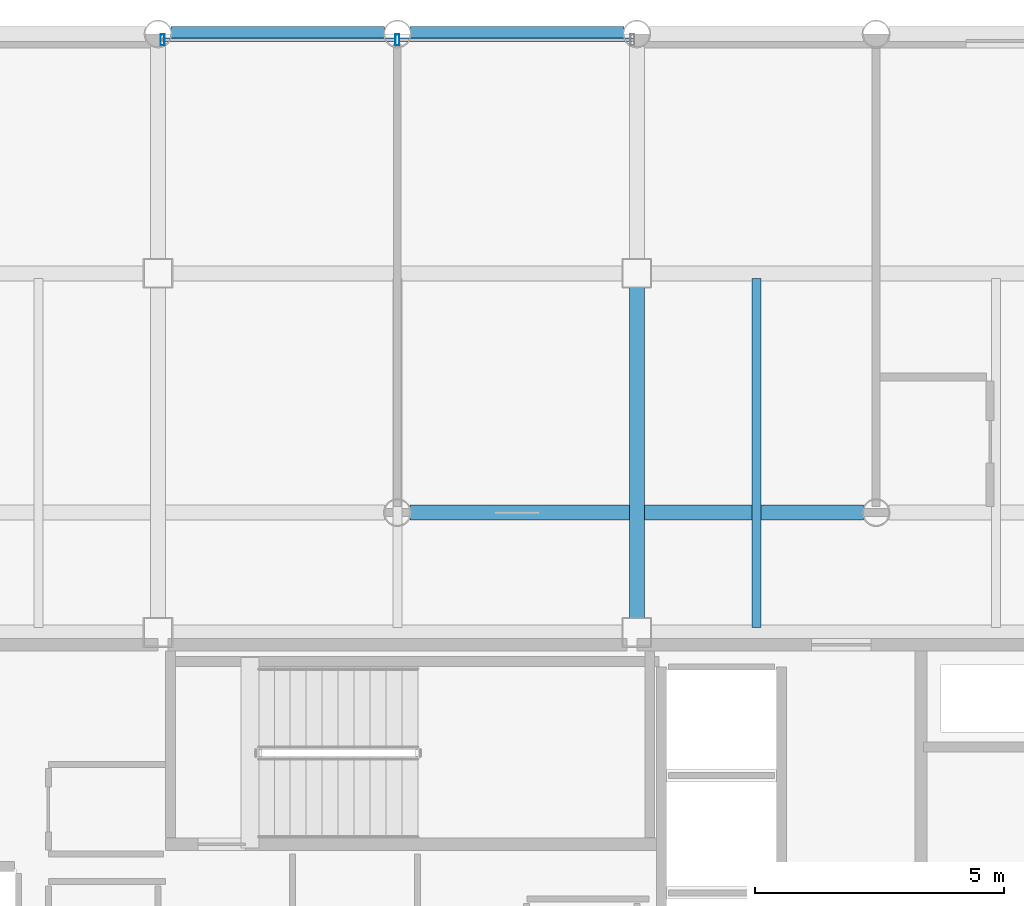
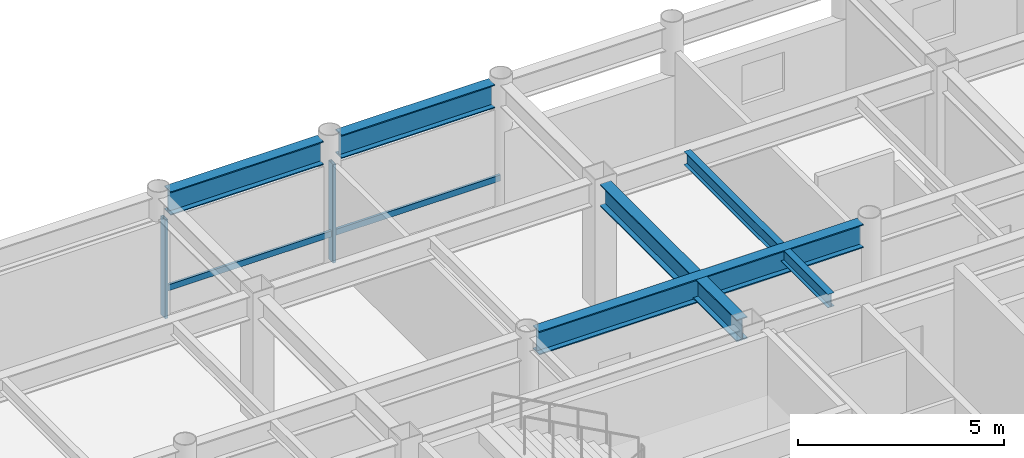
# One storey, part 13 of 22: 5 beams, 4 members, 1 element without a shape of its own.
"""IFC4 building model written with IfcOpenShell, lengths in metres."""

from ifc_helpers import new_model, si_unit, direction, frame, origin, origin_2d, place, context, subcontext, project, spatial, hollow_rectangle, i_section, extrude, material, layer, layer_set, material_profile, profile_set, type_object, element, aggregate, save


model = new_model("IFC4")

# Units and contexts
model_context = context("Model", 3, precision=1e-05, world=origin(), true_north=direction((0.0, 1.0)))
body_context = subcontext(model_context, "Body", "Model", "MODEL_VIEW")
ifc_project = project(units=[si_unit("LENGTHUNIT", "METRE"), si_unit("AREAUNIT", "SQUARE_METRE"), si_unit("VOLUMEUNIT", "CUBIC_METRE"), si_unit("PLANEANGLEUNIT", "RADIAN"), si_unit("MASSUNIT", "GRAM", prefix="KILO")], contexts=[model_context])

# Site, building, storey
site_placement = place(None, origin())
site = spatial("IfcSite", under=ifc_project, at=site_placement, CompositionType="ELEMENT")
building_placement = place(site_placement, origin())
building = spatial("IfcBuilding", under=site, at=building_placement, Name="Kallvorn Hotel Tower", CompositionType="ELEMENT")
storey_placement = place(building_placement, frame((0.0, 0.0, 203.050048828125)))
storey = spatial("IfcBuildingStorey", under=building, at=storey_placement, Name="L50", CompositionType="ELEMENT", Elevation=203.050048828125)

# Beams
ifc_material_1 = material(Name="Structural steel S355JR", Category="steel")
ifc_material_profile_1 = material_profile(ifc_material_1, i_section(OverallWidth=0.300048828125, OverallDepth=0.64990234375, WebThickness=0.01611328125, FlangeThickness=0.031005859375, at=origin_2d()), Name="HE 650 B")
ifc_profile_set_1 = profile_set([ifc_material_profile_1], Name="Structural steel S355JR")
beam_type_1 = type_object("IfcBeamType", Name="BM_HE650B", PredefinedType="BEAM", material=ifc_profile_set_1)
beam_1_placement = place(storey_placement, frame((4.800048828125, 7.47509765625, 3.344970703125), z_axis=(0.0, 1.0, 0.0), x_axis=(-1.0, 0.0, 0.0)))
element("IfcBeam", 1, at=beam_1_placement, inside=storey, type_object=beam_type_1, Name="L51 Primary Y-Girder 116", PredefinedType="BEAM", context=body_context, shape_type="SweptSolid", body=[
    extrude(i_section(OverallWidth=0.300048828125, OverallDepth=0.64990234375, WebThickness=0.01611328125, FlangeThickness=0.031005859375, at=origin_2d()), origin(), (0.0, 0.0, 1.0), 6.64990234375),
])
ifc_material_2 = material(Name="Structural steel S355JR", Category="steel")
ifc_material_profile_2 = material_profile(ifc_material_2, i_section(OverallWidth=0.300048828125, OverallDepth=0.699951171875, WebThickness=0.01708984375, FlangeThickness=0.031982421875, at=origin_2d()), Name="HE 700 B")
ifc_profile_set_2 = profile_set([ifc_material_profile_2], Name="Structural steel S355JR")
beam_type_2 = type_object("IfcBeamType", Name="BM_HE700B", PredefinedType="BEAM", material=ifc_profile_set_2)
beam_2_placement = place(storey_placement, frame((0.25439453125, 9.60009765625, 3.320068359375), z_axis=(1.0, 0.0, 0.0), x_axis=(0.0, 1.0, 0.0)))
element("IfcBeam", 2, at=beam_2_placement, inside=storey, type_object=beam_type_2, Name="L51 Primary X-Girder 46", PredefinedType="BEAM", context=body_context, shape_type="SweptSolid", body=[
    extrude(i_section(OverallWidth=0.300048828125, OverallDepth=0.699951171875, WebThickness=0.01708984375, FlangeThickness=0.031982421875, at=origin_2d()), origin(), (0.0, 0.0, 1.0), 9.091064453125),
])
for number, where, z_axis, x_axis, name in (
    (3, (-4.54541015625, 19.199951171875, 3.320068359375), (1.0, 0.0, 0.0), (0.0, 1.0, 0.0), "L51 Primary X-Girder 66"),
    (4, (0.25439453125, 19.199951171875, 3.320068359375), (1.0, 0.0, 0.0), (0.0, 1.0, 0.0), "L51 Primary X-Girder 67"),
):
    element("IfcBeam", number, at=place(storey_placement, frame(where, z_axis=z_axis, x_axis=x_axis)), inside=storey, type_object=beam_type_2, Name=name, PredefinedType="BEAM", context=body_context, shape_type="SweptSolid", body=[
        extrude(i_section(OverallWidth=0.300048828125, OverallDepth=0.699951171875, WebThickness=0.01708984375, FlangeThickness=0.031982421875, at=origin_2d()), origin(), (0.0, 0.0, 1.0), 4.291015625),
    ])
ifc_material_3 = material(Name="Structural steel S355JR", Category="steel")
ifc_material_profile_3 = material_profile(ifc_material_3, i_section(OverallWidth=0.179931640625, OverallDepth=0.39990234375, WebThickness=0.008544921875, FlangeThickness=0.013427734375, at=origin_2d()), Name="IPE 400")
ifc_profile_set_3 = profile_set([ifc_material_profile_3], Name="Structural steel S355JR")
beam_type_3 = type_object("IfcBeamType", Name="BM_IPE400", PredefinedType="JOIST", material=ifc_profile_set_3)
beam_3_placement = place(storey_placement, frame((7.199951171875, 7.300048828125, 3.469970703125), z_axis=(0.0, 1.0, 0.0), x_axis=(-1.0, 0.0, 0.0)))
element("IfcBeam", 5, at=beam_3_placement, inside=storey, type_object=beam_type_3, Name="L51 Secondary Composite Joist 203", PredefinedType="JOIST", context=body_context, shape_type="SweptSolid", body=[
    extrude(i_section(OverallWidth=0.179931640625, OverallDepth=0.39990234375, WebThickness=0.008544921875, FlangeThickness=0.013427734375, at=origin_2d()), origin(), (0.0, 0.0, 1.0), 7.0),
])

# Curtain wall, members
ifc_material_4 = material(Name="Thermally broken black-anodised aluminium AA 6063-T6", Category="aluminium")
ifc_layer = layer(ifc_material_4, 0.22998046875)
ifc_layer_set = layer_set([ifc_layer], Name="CW_SYS_5_HOTEL_HIGH")
curtain_wall_type = type_object("IfcCurtainWallType", Name="CW_SYS_5_HOTEL_HIGH", PredefinedType="USERDEFINED", material=ifc_layer_set)
curtain_wall_placement = place(storey_placement, origin())
curtain_wall = element("IfcCurtainWall", 6, at=curtain_wall_placement, inside=storey, type_object=curtain_wall_type, Name="L50 Dark-Glass Curtain Wall CW-L50-NC", ObjectType="UNITISED CURTAIN WALL", PredefinedType="USERDEFINED")
ifc_material_5 = material(Name="Thermally broken black-anodised aluminium AA 6063-T6", Category="aluminium")
ifc_material_profile_4 = material_profile(ifc_material_5, hollow_rectangle(XDim=0.080078125, YDim=0.219970703125, WallThickness=0.0048828125, at=origin_2d()), Name="MUL 220x80")
ifc_profile_set_4 = profile_set([ifc_material_profile_4], Name="Thermally broken black-anodised aluminium AA 6063-T6")
member_type_1 = type_object("IfcMemberType", Name="CW_MULLION_220x80", PredefinedType="MULLION", material=ifc_profile_set_4)
member_1_placement = place(storey_placement, frame((-4.7099609375, 19.080078125, 0.02001953125), z_axis=(0.0, 0.0, 1.0), x_axis=(1.0, 0.0, 0.0)))
member_1 = element("IfcMember", 7, at=member_1_placement, type_object=member_type_1, Name="CW-L50-NC Mullion 00", PredefinedType="MULLION", context=body_context, shape_type="SweptSolid", body=[
    extrude(hollow_rectangle(XDim=0.080078125, YDim=0.219970703125, WallThickness=0.0048828125, at=origin_2d()), origin(), (0.0, 0.0, 1.0), 2.929931640625),
])
member_2_placement = place(storey_placement, frame((0.0, 19.080078125, 0.02001953125), z_axis=(0.0, 0.0, 1.0), x_axis=(1.0, 0.0, 0.0)))
member_2 = element("IfcMember", 8, at=member_2_placement, type_object=member_type_1, Name="CW-L50-NC Mullion 01", PredefinedType="MULLION", context=body_context, shape_type="SweptSolid", body=[
    extrude(hollow_rectangle(XDim=0.080078125, YDim=0.219970703125, WallThickness=0.0048828125, at=origin_2d()), origin(), (0.0, 0.0, 1.0), 2.929931640625),
])
ifc_material_6 = material(Name="Thermally broken black-anodised aluminium AA 6063-T6", Category="aluminium")
ifc_material_profile_5 = material_profile(ifc_material_6, hollow_rectangle(XDim=0.070068359375, YDim=0.179931640625, WallThickness=0.00390625, at=origin_2d()), Name="TRN 180x70")
ifc_profile_set_5 = profile_set([ifc_material_profile_5], Name="Thermally broken black-anodised aluminium AA 6063-T6")
member_type_2 = type_object("IfcMemberType", Name="CW_TRANSOM_180x70", PredefinedType="USERDEFINED", material=ifc_profile_set_5)
member_3_placement = place(storey_placement, frame((-4.7099609375, 19.080078125, 0.849853515625), z_axis=(1.0, 0.0, 0.0), x_axis=(0.0, 1.0, 0.0)))
member_3 = element("IfcMember", 9, at=member_3_placement, type_object=member_type_2, Name="CW-L50-NC Transom 00M", ObjectType="TRANSOM", PredefinedType="USERDEFINED", context=body_context, shape_type="SweptSolid", body=[
    extrude(hollow_rectangle(XDim=0.070068359375, YDim=0.179931640625, WallThickness=0.00390625, at=origin_2d()), origin(), (0.0, 0.0, 1.0), 4.669921875),
])
member_4_placement = place(storey_placement, frame((0.0400390625, 19.080078125, 0.849853515625), z_axis=(1.0, 0.0, 0.0), x_axis=(0.0, 1.0, 0.0)))
member_4 = element("IfcMember", 10, at=member_4_placement, type_object=member_type_2, Name="CW-L50-NC Transom 01M", ObjectType="TRANSOM", PredefinedType="USERDEFINED", context=body_context, shape_type="SweptSolid", body=[
    extrude(hollow_rectangle(XDim=0.070068359375, YDim=0.179931640625, WallThickness=0.00390625, at=origin_2d()), origin(), (0.0, 0.0, 1.0), 4.669921875),
])
aggregate(curtain_wall, [member_1, member_2, member_3, member_4])

save(model, "model.ifc")
